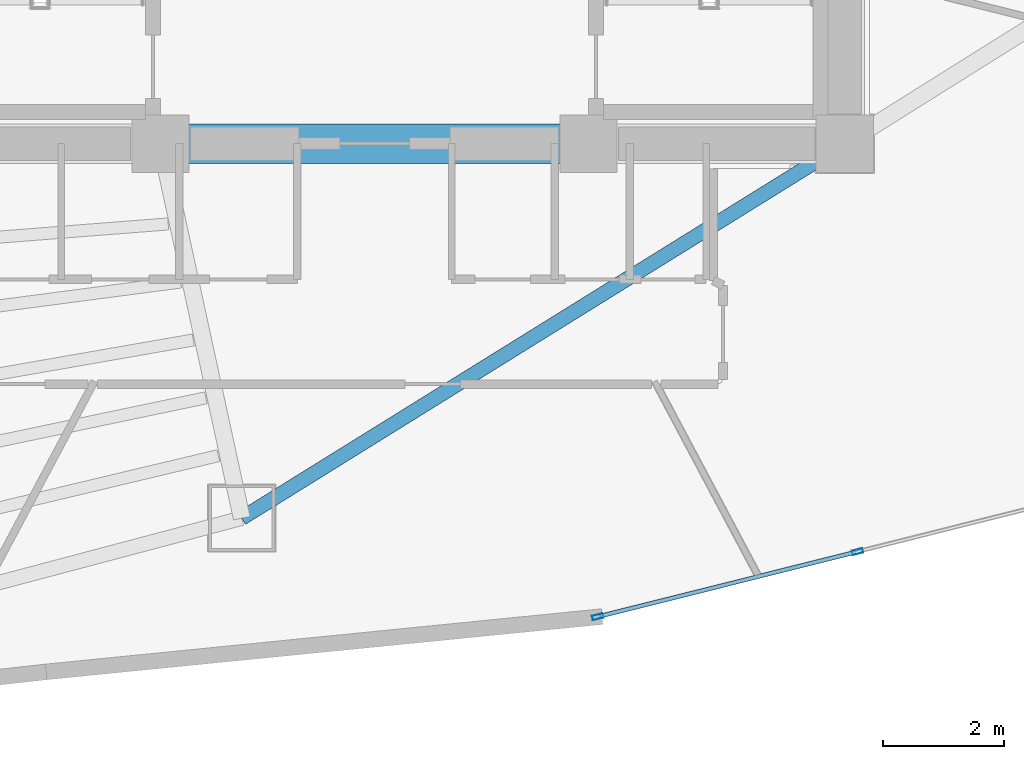
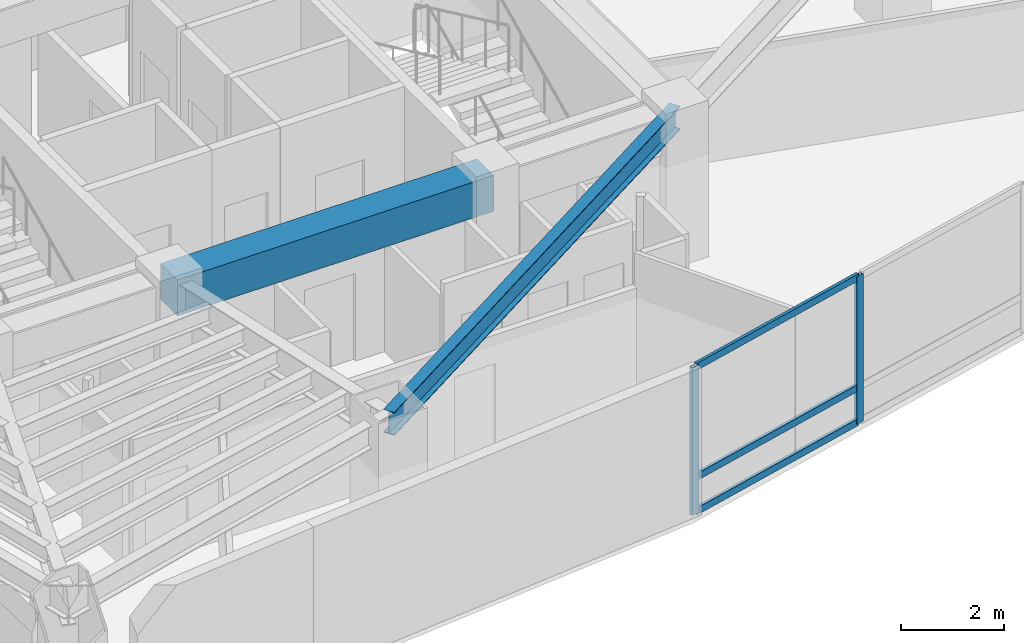
# One storey, part 4 of 18: 5 members, 2 beams, 1 element without a shape of its own.
"""IFC4 building model written with IfcOpenShell, lengths in metres."""

from ifc_helpers import new_model, si_unit, direction, frame, origin, origin_2d, place, context, subcontext, project, spatial, rectangle, hollow_rectangle, i_section, extrude, material, layer, layer_set, material_profile, profile_set, type_object, element, aggregate, save


model = new_model("IFC4")

# Units and contexts
model_context = context("Model", 3, precision=1e-05, world=origin(), true_north=direction((0.0, 1.0)))
body_context = subcontext(model_context, "Body", "Model", "MODEL_VIEW")
ifc_project = project(units=[si_unit("LENGTHUNIT", "METRE"), si_unit("AREAUNIT", "SQUARE_METRE"), si_unit("VOLUMEUNIT", "CUBIC_METRE"), si_unit("PLANEANGLEUNIT", "RADIAN"), si_unit("MASSUNIT", "GRAM", prefix="KILO")], contexts=[model_context])

# Site, building, storey
site_placement = place(None, origin())
site = spatial("IfcSite", under=ifc_project, at=site_placement, CompositionType="ELEMENT")
building_placement = place(site_placement, origin())
building = spatial("IfcBuilding", under=site, at=building_placement, Name="Menara Vayukalpa", CompositionType="ELEMENT")
storey_placement = place(building_placement, frame((0.0, 0.0, 165.47998046875)))
storey = spatial("IfcBuildingStorey", under=building, at=storey_placement, Name="L41", CompositionType="ELEMENT", Elevation=165.47998046875)

# Beams
ifc_material_1 = material(Name="Concrete C60/75", Category="concrete")
ifc_material_profile_1 = material_profile(ifc_material_1, rectangle(XDim=0.64990234375, YDim=0.85009765625, at=origin_2d()), Name="RC 650x850")
ifc_profile_set_1 = profile_set([ifc_material_profile_1], Name="Concrete C60/75")
beam_type_1 = type_object("IfcBeamType", Name="BM-CB1", PredefinedType="BEAM", material=ifc_profile_set_1)
beam_1_placement = place(storey_placement, frame((22.050048828125, 17.199951171875, 3.074951171875), z_axis=(1.0, 0.0, 0.0), x_axis=(0.0, 1.0, 0.0)))
element("IfcBeam", 1, at=beam_1_placement, inside=storey, type_object=beam_type_1, Name="L41 Core Tie Beam CBR2", PredefinedType="BEAM", context=body_context, shape_type="SweptSolid", body=[
    extrude(rectangle(XDim=0.64990234375, YDim=0.85009765625, at=origin_2d()), origin(), (0.0, 0.0, 1.0), 7.099853515625),
])
ifc_material_2 = material(Name="Steel S355", Category="steel")
ifc_material_profile_2 = material_profile(ifc_material_2, i_section(OverallWidth=0.239990234375, OverallDepth=0.550048828125, WebThickness=0.010986328125, FlangeThickness=0.01904296875, at=origin_2d()), Name="WF 550x240x11x19")
ifc_profile_set_2 = profile_set([ifc_material_profile_2], Name="Steel S355")
beam_type_2 = type_object("IfcBeamType", Name="BM-SP2", PredefinedType="SPANDREL", material=ifc_profile_set_2)
beam_2_placement = place(storey_placement, frame((23.39697265625, 10.988037109375, 3.22509765625), z_axis=(0.849518408464, 0.527558976495, 0.0), x_axis=(-0.527558976495, 0.849518408464, 0.0)))
element("IfcBeam", 2, at=beam_2_placement, inside=storey, type_object=beam_type_2, Name="L41 Perimeter Spandrel Beam SP08", PredefinedType="SPANDREL", context=body_context, shape_type="SweptSolid", body=[
    extrude(i_section(OverallWidth=0.239990234375, OverallDepth=0.550048828125, WebThickness=0.010986328125, FlangeThickness=0.01904296875, at=origin_2d()), origin(), (0.0, 0.0, 1.0), 11.77490234375),
])

# Curtain wall, members
ifc_material_3 = material(Name="Anodised Terracotta Aluminium Alloy 6063-T6", Category="masonry")
ifc_layer = layer(ifc_material_3, 0.179931640625)
ifc_layer_set = layer_set([ifc_layer], Name="Anodised Terracotta Aluminium Alloy 6063-T6")
curtain_wall_type = type_object("IfcCurtainWallType", Name="CW-CW4", PredefinedType="USERDEFINED", material=ifc_layer_set)
curtain_wall_placement = place(storey_placement, origin())
curtain_wall = element("IfcCurtainWall", 3, at=curtain_wall_placement, inside=storey, type_object=curtain_wall_type, Name="L41 Sky Bar Cantilever Glazed Curtain Wall CW4 16", ObjectType="UNITISED", PredefinedType="USERDEFINED")
ifc_material_4 = material(Name="Anodised Terracotta Aluminium Alloy 6063-T6", Category="masonry")
ifc_material_profile_3 = material_profile(ifc_material_4, hollow_rectangle(XDim=0.074951171875, YDim=0.179931640625, WallThickness=0.00390625, at=origin_2d()), Name="ALU 75x180x4")
ifc_profile_set_3 = profile_set([ifc_material_profile_3], Name="Anodised Terracotta Aluminium Alloy 6063-T6")
member_type_1 = type_object("IfcMemberType", Name="CWM-CW4", PredefinedType="MULLION", material=ifc_profile_set_3)
member_1_placement = place(storey_placement, frame((29.302001953125, 9.35205078125, 0.0), z_axis=(0.0, 0.0, 1.0), x_axis=(-0.243112993066, 0.969997975566, 0.0)))
member_1 = element("IfcMember", 4, at=member_1_placement, type_object=member_type_1, Name="CW4 mullion 1", PredefinedType="MULLION", context=body_context, shape_type="SweptSolid", body=[
    extrude(hollow_rectangle(XDim=0.074951171875, YDim=0.179931640625, WallThickness=0.00390625, at=origin_2d()), origin(), (0.0, 0.0, 1.0), 3.5),
])
member_2_placement = place(storey_placement, frame((33.61376953125, 10.4326171875, 0.0), z_axis=(0.0, 0.0, 1.0), x_axis=(-0.243112993066, 0.969997975566, 0.0)))
member_2 = element("IfcMember", 5, at=member_2_placement, type_object=member_type_1, Name="CW4 mullion 2", PredefinedType="MULLION", context=body_context, shape_type="SweptSolid", body=[
    extrude(hollow_rectangle(XDim=0.074951171875, YDim=0.179931640625, WallThickness=0.00390625, at=origin_2d()), origin(), (0.0, 0.0, 1.0), 3.5),
])
ifc_material_5 = material(Name="Anodised Terracotta Aluminium Alloy 6063-T6", Category="masonry")
ifc_material_profile_4 = material_profile(ifc_material_5, hollow_rectangle(XDim=0.070068359375, YDim=0.1650390625, WallThickness=0.00390625, at=origin_2d()), Name="ALU 70x165x4")
ifc_profile_set_4 = profile_set([ifc_material_profile_4], Name="Anodised Terracotta Aluminium Alloy 6063-T6")
member_type_2 = type_object("IfcMemberType", Name="CWT-CW4", PredefinedType="USERDEFINED", material=ifc_profile_set_4)
member_3_placement = place(storey_placement, frame((29.33837890625, 9.361083984375, 0.034912109375), z_axis=(0.969994440281, 0.243127098088, 0.0), x_axis=(-0.243127098088, 0.969994440281, 0.0)))
member_3 = element("IfcMember", 6, at=member_3_placement, type_object=member_type_2, Name="CW4 transom 1.1", ObjectType="TRANSOM", PredefinedType="USERDEFINED", context=body_context, shape_type="SweptSolid", body=[
    extrude(hollow_rectangle(XDim=0.070068359375, YDim=0.1650390625, WallThickness=0.00390625, at=origin_2d()), origin(), (0.0, 0.0, 1.0), 4.3701171875),
])
member_4_placement = place(storey_placement, frame((29.33837890625, 9.361083984375, 0.85009765625), z_axis=(0.969994440281, 0.243127098088, 0.0), x_axis=(-0.243127098088, 0.969994440281, 0.0)))
member_4 = element("IfcMember", 7, at=member_4_placement, type_object=member_type_2, Name="CW4 transom 1.2", ObjectType="TRANSOM", PredefinedType="USERDEFINED", context=body_context, shape_type="SweptSolid", body=[
    extrude(hollow_rectangle(XDim=0.070068359375, YDim=0.1650390625, WallThickness=0.00390625, at=origin_2d()), origin(), (0.0, 0.0, 1.0), 4.3701171875),
])
member_5_placement = place(storey_placement, frame((29.33837890625, 9.361083984375, 3.465087890625), z_axis=(0.969994440281, 0.243127098088, 0.0), x_axis=(-0.243127098088, 0.969994440281, 0.0)))
member_5 = element("IfcMember", 8, at=member_5_placement, type_object=member_type_2, Name="CW4 transom 1.3", ObjectType="TRANSOM", PredefinedType="USERDEFINED", context=body_context, shape_type="SweptSolid", body=[
    extrude(hollow_rectangle(XDim=0.070068359375, YDim=0.1650390625, WallThickness=0.00390625, at=origin_2d()), origin(), (0.0, 0.0, 1.0), 4.3701171875),
])
aggregate(curtain_wall, [member_1, member_2, member_3, member_4, member_5])

save(model, "model.ifc")
